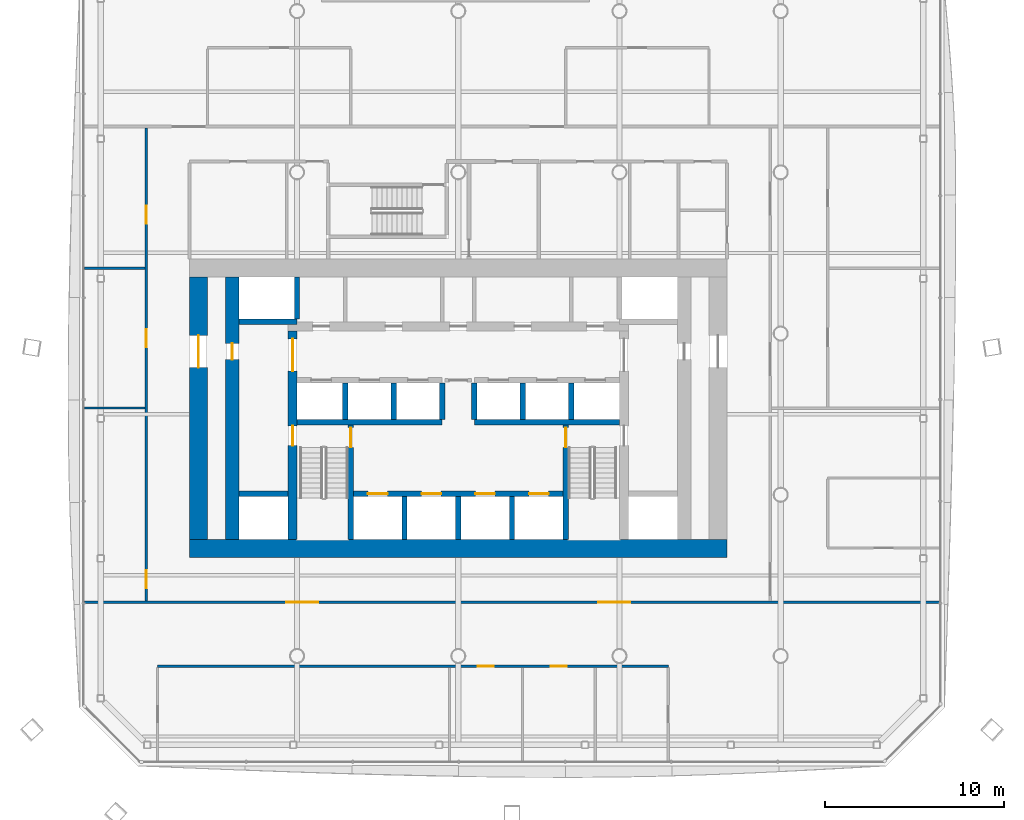
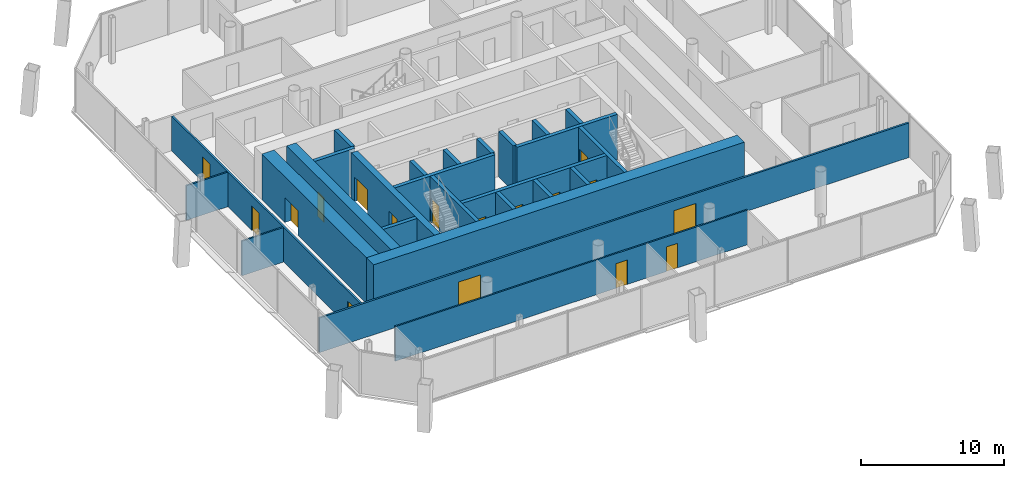
# One storey, part 11 of 19: 26 walls, 17 doors, 17 openings.
"""IFC4 building model written with IfcOpenShell, lengths in metres."""

import ifcopenshell
import ifcopenshell.guid

model = None  # the IFC model being written
_history = None  # IfcOwnerHistory: only IFC2X3 demands one
_inside = {}  # id of a spatial element -> (the spatial element, [elements in it])
_under = {}  # id of a project, library or spatial element -> (it, [spatial elements below it])
_declared = {}  # id of a project -> (the project, [libraries it declares])
_typed = {}  # id of a type object -> (the type object, [elements of that type])
_made_of = {}  # id of a material, layer set ... -> (it, [elements and type objects made of it])


def new_model(schema):
    """Start an empty IFC model of exactly this schema.

    Asked for "IFC4X3", IfcOpenShell would pick the latest addendum, in which some entities
    have other attributes; the version numbers below select the first issue.
    IFC2X3 requires an IfcOwnerHistory on every rooted entity: one is made here for all.
    """
    global model, _history
    if schema == "IFC4X3":
        model = ifcopenshell.file(schema_version=(4, 3, 0, 0))
    else:
        model = ifcopenshell.file(schema=schema)
    _inside.clear()
    _under.clear()
    _declared.clear()
    _typed.clear()
    _made_of.clear()
    _history = None
    if model.schema == "IFC2X3":
        org = make("IfcOrganization", Name="unknown")
        user = make(
            "IfcPersonAndOrganization",
            ThePerson=make("IfcPerson", FamilyName="unknown"),
            TheOrganization=org,
        )
        app = make(
            "IfcApplication",
            ApplicationDeveloper=org,
            Version="unknown",
            ApplicationFullName="unknown",
            ApplicationIdentifier="unknown",
        )
        _history = make(
            "IfcOwnerHistory",
            OwningUser=user,
            OwningApplication=app,
            ChangeAction="ADDED",
            CreationDate=0,
        )
    return model


def make(cls, **values):
    """One entity of the class cls with the attributes given. An attribute that is None is left unset."""
    return model.create_entity(
        cls, **{name: value for name, value in values.items() if value is not None}
    )


def rooted(cls, **values):
    """An entity with a GlobalId (a new one), such as an element, a storey or a relation."""
    return make(cls, GlobalId=ifcopenshell.guid.new(), OwnerHistory=_history, **values)


def si_unit(unit_type, name, prefix=None):
    """IfcSIUnit, for example si_unit("LENGTHUNIT", "METRE", prefix="MILLI")."""
    return make("IfcSIUnit", UnitType=unit_type, Prefix=prefix, Name=name)


def assignment(units):
    """IfcUnitAssignment: the units of a project."""
    return None if units is None else make("IfcUnitAssignment", Units=units)


def point(xyz):
    """IfcCartesianPoint."""
    return None if xyz is None else make("IfcCartesianPoint", Coordinates=xyz)


def direction(xyz):
    """IfcDirection."""
    return None if xyz is None else make("IfcDirection", DirectionRatios=xyz)


def frame(location, z_axis=None, x_axis=None):
    """IfcAxis2Placement3D, a coordinate frame: its origin and axes. An axis left out is left unset."""
    return make(
        "IfcAxis2Placement3D",
        Location=point(location),
        Axis=direction(z_axis),
        RefDirection=direction(x_axis),
    )


def frame_2d(location, x_axis=None):
    """IfcAxis2Placement2D, a coordinate frame in the plane: its origin and x axis."""
    return make(
        "IfcAxis2Placement2D", Location=point(location), RefDirection=direction(x_axis)
    )


def origin():
    """The frame at (0, 0, 0) with its axes left unset."""
    return frame((0.0, 0.0, 0.0))


def place(relative_to, where):
    """IfcLocalPlacement: puts the frame where relative to a parent placement (None: the world)."""
    return make(
        "IfcLocalPlacement", PlacementRelTo=relative_to, RelativePlacement=where
    )


def context(
    kind, dimensions, precision=None, world=None, true_north=None, identifier=None
):
    """IfcGeometricRepresentationContext, for example the 3D "Model" context."""
    return make(
        "IfcGeometricRepresentationContext",
        ContextIdentifier=identifier,
        ContextType=kind,
        CoordinateSpaceDimension=dimensions,
        Precision=precision,
        WorldCoordinateSystem=world,
        TrueNorth=true_north,
    )


def subcontext(parent, identifier, kind, view, scale=None):
    """IfcGeometricRepresentationSubContext, for example "Body" below "Model"."""
    return make(
        "IfcGeometricRepresentationSubContext",
        ContextIdentifier=identifier,
        ContextType=kind,
        ParentContext=parent,
        TargetScale=scale,
        TargetView=view,
    )


def project(units=None, contexts=None):
    """IfcProject with its units and contexts."""
    return rooted(
        "IfcProject",
        Name="project",
        RepresentationContexts=contexts,
        UnitsInContext=assignment(units),
    )


def spatial(cls, under=None, at=None, **own):
    """A site, building, storey or space (cls), placed at a placement, below another one or the project."""
    s = rooted(cls, ObjectPlacement=at, **own)
    if under is not None:
        _under.setdefault(under.id(), (under, []))[1].append(s)
    return s


def profile(cls, at=None, kind="AREA", **sizes):
    """A parametric profile (cls). Its sizes go by their IFC names, for example OverallWidth=200.0."""
    return make(cls, ProfileType=kind, Position=at, **sizes)


def rectangle(**sizes):
    """IfcRectangleProfileDef."""
    return profile("IfcRectangleProfileDef", **sizes)


def extrude(swept, where, along, depth):
    """IfcExtrudedAreaSolid: the profile swept, set in the frame where, extruded along a direction by depth."""
    return make(
        "IfcExtrudedAreaSolid",
        SweptArea=swept,
        Position=where,
        ExtrudedDirection=direction(along),
        Depth=depth,
    )


def shape(context_of_items, identifier, shape_type, items):
    """IfcShapeRepresentation: the items that make up one representation, for example the "Body"."""
    return make(
        "IfcShapeRepresentation",
        ContextOfItems=context_of_items,
        RepresentationIdentifier=identifier,
        RepresentationType=shape_type,
        Items=items,
    )


def material(Name=None, Category=None):
    """IfcMaterial."""
    return make("IfcMaterial", Name=Name, Category=Category)


def layer(
    of_material, thickness, ventilated=None, Name=None, Category=None, Priority=None
):
    """IfcMaterialLayer: one layer of a wall or slab, of a material (None: an air gap)."""
    return make(
        "IfcMaterialLayer",
        Material=of_material,
        LayerThickness=thickness,
        IsVentilated=ventilated,
        Name=Name,
        Category=Category,
        Priority=Priority,
    )


def layer_set(layers, Name=None):
    """IfcMaterialLayerSet."""
    return make("IfcMaterialLayerSet", MaterialLayers=layers, LayerSetName=Name)


def made_of(thing, what):
    """Note that an element or type object is made of a material, layer set ...; save() writes the relation."""
    if what is not None:
        _made_of.setdefault(what.id(), (what, []))[1].append(thing)
    return thing


def type_object(cls, material=None, **own):
    """A type object (cls), such as IfcWallType, which elements share."""
    return made_of(rooted(cls, **own), material)


def element(
    cls,
    number,
    at=None,
    inside=None,
    cuts=None,
    type_object=None,
    material=None,
    context=None,
    identifier="Body",
    shape_type=None,
    held_by="IfcProductDefinitionShape",
    body=None,
    shapes=None,
    **own,
):
    """One element of the class cls, such as IfcWall. Its Tag is "e" and its number.

    at: its placement. inside: the storey or other place that contains it. cuts: it is an
    opening in that element (IfcRelVoidsElement). A single representation is given by context,
    identifier, shape_type and body (its items); several are given by shapes. held_by: the class
    of the entity that holds the representations. save() writes the other relations.
    """
    e = rooted(cls, Tag="e%d" % number, ObjectPlacement=at, **own)
    if body is not None:
        shapes = [shape(context, identifier, shape_type, body)]
    if shapes is not None:
        e.Representation = make(held_by, Representations=shapes)
    if inside is not None:
        _inside.setdefault(inside.id(), (inside, []))[1].append(e)
    if cuts is not None:
        rooted(
            "IfcRelVoidsElement", RelatingBuildingElement=cuts, RelatedOpeningElement=e
        )
    if type_object is not None:
        _typed.setdefault(type_object.id(), (type_object, []))[1].append(e)
    return made_of(e, material)


def fill(opening, filler):
    """IfcRelFillsElement: the door or window that sits in an opening."""
    return rooted(
        "IfcRelFillsElement",
        RelatingOpeningElement=opening,
        RelatedBuildingElement=filler,
    )


def aggregate(whole, parts):
    """IfcRelAggregates: a whole, such as a stair, and the parts it consists of."""
    return rooted("IfcRelAggregates", RelatingObject=whole, RelatedObjects=parts)


def save(model, path):
    """Write the relations noted so far, then the file.

    IfcRelAggregates (storeys below a building ...), IfcRelContainedInSpatialStructure (elements
    in a storey), IfcRelDefinesByType, IfcRelAssociatesMaterial and IfcRelDeclares: one each for
    every whole, place, type object, material and project.
    """
    for whole, parts in _under.values():
        aggregate(whole, parts)
    for where, things in _inside.values():
        rooted(
            "IfcRelContainedInSpatialStructure",
            RelatedElements=things,
            RelatingStructure=where,
        )
    for kind, things in _typed.values():
        rooted("IfcRelDefinesByType", RelatedObjects=things, RelatingType=kind)
    for what, things in _made_of.values():
        rooted("IfcRelAssociatesMaterial", RelatedObjects=things, RelatingMaterial=what)
    for by, libraries in _declared.values():
        rooted("IfcRelDeclares", RelatingContext=by, RelatedDefinitions=libraries)
    model.write(path)


model = new_model("IFC4")

# Units and contexts
model_context = context("Model", 3, precision=1e-05, world=origin(), true_north=direction((0.0, 1.0)))
body_context = subcontext(model_context, "Body", "Model", "MODEL_VIEW")
ifc_project = project(units=[si_unit("LENGTHUNIT", "METRE"), si_unit("AREAUNIT", "SQUARE_METRE"), si_unit("VOLUMEUNIT", "CUBIC_METRE"), si_unit("PLANEANGLEUNIT", "RADIAN"), si_unit("MASSUNIT", "GRAM", prefix="KILO")], contexts=[model_context])

# Site, building, storey
site_placement = place(None, origin())
site = spatial("IfcSite", under=ifc_project, at=site_placement, CompositionType="ELEMENT")
building_placement = place(site_placement, origin())
building = spatial("IfcBuilding", under=site, at=building_placement, Name="Tskaro Facet Tower", CompositionType="ELEMENT")
storey_placement = place(building_placement, frame((0.0, 0.0, 101.10009765625)))
storey = spatial("IfcBuildingStorey", under=building, at=storey_placement, Name="L24", CompositionType="ELEMENT", Elevation=101.10009765625)

# Wall
ifc_material_1 = material(Name="Concrete C60/75", Category="concrete")
ifc_layer_1 = layer(ifc_material_1, 0.300048828125, Name="Concrete C60/75")
ifc_layer_set_1 = layer_set([ifc_layer_1], Name="Concrete C60/75")
wall_type_1 = type_object("IfcWallType", Name="CORE-SHAFT", PredefinedType="SHEAR", material=ifc_layer_set_1)
wall_1_placement = place(storey_placement, frame((-12.25, -8.949951171875, 0.0), z_axis=(0.0, 0.0, 1.0), x_axis=(1.0, 0.0, 0.0)))
element("IfcWall", 1, at=wall_1_placement, inside=storey, type_object=wall_type_1, Name="Shaft wall W004", PredefinedType="SHEAR", context=body_context, shape_type="SweptSolid", body=[
    extrude(rectangle(XDim=2.75, YDim=0.300048828125, at=frame_2d((1.375, 0.0))), origin(), (0.0, 0.0, 1.0), 3.89990234375),
])

# Wall, openings, doors
wall_2_placement = place(storey_placement, frame((-5.85009765625, -8.949951171875, 0.0), z_axis=(0.0, 0.0, 1.0), x_axis=(1.0, 0.0, 0.0)))
wall_2 = element("IfcWall", 2, at=wall_2_placement, inside=storey, type_object=wall_type_1, Name="Shaft wall W005", PredefinedType="SHEAR", context=body_context, shape_type="SweptSolid", body=[
    extrude(rectangle(XDim=11.7001953125, YDim=0.300048828125, at=frame_2d((5.85009765625, 0.0))), origin(), (0.0, 0.0, 1.0), 3.89990234375),
])
opening_1_placement = place(wall_2_placement, frame((0.800048828125, 0.0, 0.0)))
opening_1 = element("IfcOpeningElement", 3, at=opening_1_placement, cuts=wall_2, Name="Opening LD-FF1", PredefinedType="OPENING", context=body_context, shape_type="SweptSolid", body=[
    extrude(rectangle(XDim=1.10009765625, YDim=2.10009765625, at=frame_2d((0.550048828125, 1.050048828125))), frame((0.0, 0.159912109375, 0.0), z_axis=(0.0, -1.0, 0.0), x_axis=(1.0, 0.0, 0.0)), (0.0, 0.0, 1.0), 0.320068359375),
])
opening_2_placement = place(wall_2_placement, frame((3.800048828125, 0.0, 0.0)))
opening_2 = element("IfcOpeningElement", 4, at=opening_2_placement, cuts=wall_2, Name="Opening LD-FF2", PredefinedType="OPENING", context=body_context, shape_type="SweptSolid", body=[
    extrude(rectangle(XDim=1.10009765625, YDim=2.10009765625, at=frame_2d((0.550048828125, 1.050048828125))), frame((0.0, 0.159912109375, 0.0), z_axis=(0.0, -1.0, 0.0), x_axis=(1.0, 0.0, 0.0)), (0.0, 0.0, 1.0), 0.320068359375),
])
opening_3_placement = place(wall_2_placement, frame((6.800048828125, 0.0, 0.0)))
opening_3 = element("IfcOpeningElement", 5, at=opening_3_placement, cuts=wall_2, Name="Opening LD-SV1", PredefinedType="OPENING", context=body_context, shape_type="SweptSolid", body=[
    extrude(rectangle(XDim=1.10009765625, YDim=2.10009765625, at=frame_2d((0.550048828125, 1.050048828125))), frame((0.0, 0.159912109375, 0.0), z_axis=(0.0, -1.0, 0.0), x_axis=(1.0, 0.0, 0.0)), (0.0, 0.0, 1.0), 0.320068359375),
])
opening_4_placement = place(wall_2_placement, frame((9.800048828125, 0.0, 0.0)))
opening_4 = element("IfcOpeningElement", 6, at=opening_4_placement, cuts=wall_2, Name="Opening LD-SV2", PredefinedType="OPENING", context=body_context, shape_type="SweptSolid", body=[
    extrude(rectangle(XDim=1.10009765625, YDim=2.10009765625, at=frame_2d((0.550048828125, 1.050048828125))), frame((0.0, 0.159912109375, 0.0), z_axis=(0.0, -1.0, 0.0), x_axis=(1.0, 0.0, 0.0)), (0.0, 0.0, 1.0), 0.320068359375),
])
ifc_material_2 = material(Name="Stainless steel", Category="steel")
door_type_1 = type_object("IfcDoorType", Name="D-LANDING", OperationType="NOTDEFINED", PredefinedType="DOOR", material=ifc_material_2)
door_1_placement = place(opening_1_placement, origin())
door_1 = element("IfcDoor", 7, at=door_1_placement, inside=storey, type_object=door_type_1, Name="Landing door FF1", OperationType="DOUBLE_DOOR_SLIDING", OverallHeight=2.10009765625, OverallWidth=1.10009765625, PredefinedType="DOOR", context=body_context, shape_type="SweptSolid", body=[
    extrude(rectangle(XDim=1.10009765625, YDim=2.10009765625, at=frame_2d((0.550048828125, 1.050048828125))), frame((0.0, 0.02490234375, 0.0), z_axis=(0.0, -1.0, 0.0), x_axis=(1.0, 0.0, 0.0)), (0.0, 0.0, 1.0), 0.050048828125),
])
fill(opening_1, door_1)
door_2_placement = place(opening_2_placement, origin())
door_2 = element("IfcDoor", 8, at=door_2_placement, inside=storey, type_object=door_type_1, Name="Landing door FF2", OperationType="DOUBLE_DOOR_SLIDING", OverallHeight=2.10009765625, OverallWidth=1.10009765625, PredefinedType="DOOR", context=body_context, shape_type="SweptSolid", body=[
    extrude(rectangle(XDim=1.10009765625, YDim=2.10009765625, at=frame_2d((0.550048828125, 1.050048828125))), frame((0.0, 0.02490234375, 0.0), z_axis=(0.0, -1.0, 0.0), x_axis=(1.0, 0.0, 0.0)), (0.0, 0.0, 1.0), 0.050048828125),
])
fill(opening_2, door_2)
door_3_placement = place(opening_3_placement, origin())
door_3 = element("IfcDoor", 9, at=door_3_placement, inside=storey, type_object=door_type_1, Name="Landing door SV1", OperationType="DOUBLE_DOOR_SLIDING", OverallHeight=2.10009765625, OverallWidth=1.10009765625, PredefinedType="DOOR", context=body_context, shape_type="SweptSolid", body=[
    extrude(rectangle(XDim=1.10009765625, YDim=2.10009765625, at=frame_2d((0.550048828125, 1.050048828125))), frame((0.0, 0.02490234375, 0.0), z_axis=(0.0, -1.0, 0.0), x_axis=(1.0, 0.0, 0.0)), (0.0, 0.0, 1.0), 0.050048828125),
])
fill(opening_3, door_3)
door_4_placement = place(opening_4_placement, origin())
door_4 = element("IfcDoor", 10, at=door_4_placement, inside=storey, type_object=door_type_1, Name="Landing door SV2", OperationType="DOUBLE_DOOR_SLIDING", OverallHeight=2.10009765625, OverallWidth=1.10009765625, PredefinedType="DOOR", context=body_context, shape_type="SweptSolid", body=[
    extrude(rectangle(XDim=1.10009765625, YDim=2.10009765625, at=frame_2d((0.550048828125, 1.050048828125))), frame((0.0, 0.02490234375, 0.0), z_axis=(0.0, -1.0, 0.0), x_axis=(1.0, 0.0, 0.0)), (0.0, 0.0, 1.0), 0.050048828125),
])
fill(opening_4, door_4)

# Walls
for number, where, z_axis, x_axis, name in (
    (11, (-9.0, -4.949951171875, 0.0), (0.0, 0.0, 1.0), (1.0, 0.0, 0.0), "Shaft wall W008"),
    (12, (0.89990234375, -4.949951171875, 0.0), (0.0, 0.0, 1.0), (1.0, 0.0, 0.0), "Shaft wall W009"),
):
    element("IfcWall", number, at=place(storey_placement, frame(where, z_axis=z_axis, x_axis=x_axis)), inside=storey, type_object=wall_type_1, Name=name, PredefinedType="SHEAR", context=body_context, shape_type="SweptSolid", body=[
        extrude(rectangle(XDim=8.10009765625, YDim=0.300048828125, at=frame_2d((4.050048828125, 0.0))), origin(), (0.0, 0.0, 1.0), 3.89990234375),
    ])
wall_3_placement = place(storey_placement, frame((-9.0, 0.64990234375, 0.0), z_axis=(0.0, 0.0, 1.0), x_axis=(-1.0, 0.0, 0.0)))
element("IfcWall", 13, at=wall_3_placement, inside=storey, type_object=wall_type_1, Name="Shaft wall W015", PredefinedType="SHEAR", context=body_context, shape_type="SweptSolid", body=[
    extrude(rectangle(XDim=3.25, YDim=0.300048828125, at=frame_2d((1.625, 0.0))), origin(), (0.0, 0.0, 1.0), 3.89990234375),
])
wall_4_placement = place(storey_placement, frame((-9.0, 0.800048828125, 0.0), z_axis=(0.0, 0.0, 1.0), x_axis=(0.0, 1.0, 0.0)))
element("IfcWall", 14, at=wall_4_placement, inside=storey, type_object=wall_type_1, Name="Shaft wall W034", PredefinedType="SHEAR", context=body_context, shape_type="SweptSolid", body=[
    extrude(rectangle(XDim=2.349853515625, YDim=0.300048828125, at=frame_2d((1.1748046875, 0.0))), origin(), (0.0, 0.0, 1.0), 3.89990234375),
])
wall_5_placement = place(storey_placement, frame((-6.300048828125, -4.800048828125, 0.0), z_axis=(0.0, 0.0, 1.0), x_axis=(0.0, 1.0, 0.0)))
element("IfcWall", 15, at=wall_5_placement, inside=storey, type_object=wall_type_1, Name="Shaft wall W039", PredefinedType="SHEAR", context=body_context, shape_type="SweptSolid", body=[
    extrude(rectangle(XDim=2.050048828125, YDim=0.300048828125, at=frame_2d((1.02490234375, 0.0))), origin(), (0.0, 0.0, 1.0), 3.89990234375),
])

# Wall, opening, door
wall_6_placement = place(storey_placement, frame((-6.0, -11.5, 0.0), z_axis=(0.0, 0.0, 1.0), x_axis=(0.0, 1.0, 0.0)))
wall_6 = element("IfcWall", 16, at=wall_6_placement, inside=storey, type_object=wall_type_1, Name="Shaft wall W041", PredefinedType="SHEAR", context=body_context, shape_type="SweptSolid", body=[
    extrude(rectangle(XDim=6.39990234375, YDim=0.300048828125, at=frame_2d((3.199951171875, 0.0))), origin(), (0.0, 0.0, 1.0), 3.89990234375),
])
opening_5_placement = place(wall_6_placement, frame((5.14990234375, 0.0, 0.0)))
opening_5 = element("IfcOpeningElement", 17, at=opening_5_placement, cuts=wall_6, Name="Opening ST-1-D1", PredefinedType="OPENING", context=body_context, shape_type="SweptSolid", body=[
    extrude(rectangle(XDim=1.10009765625, YDim=2.10009765625, at=frame_2d((0.550048828125, 1.050048828125))), frame((0.0, 0.159912109375, 0.0), z_axis=(0.0, -1.0, 0.0), x_axis=(1.0, 0.0, 0.0)), (0.0, 0.0, 1.0), 0.320068359375),
])
ifc_material_3 = material(Name="Steel", Category="steel")
door_type_2 = type_object("IfcDoorType", Name="D-STAIR", OperationType="NOTDEFINED", PredefinedType="DOOR", material=ifc_material_3)
door_5_placement = place(opening_5_placement, origin())
door_5 = element("IfcDoor", 18, at=door_5_placement, inside=storey, type_object=door_type_2, Name="Stair door 1", OperationType="SINGLE_SWING_LEFT", OverallHeight=2.10009765625, OverallWidth=1.10009765625, PredefinedType="DOOR", context=body_context, shape_type="SweptSolid", body=[
    extrude(rectangle(XDim=1.10009765625, YDim=2.10009765625, at=frame_2d((0.550048828125, 1.050048828125))), frame((0.0, 0.02490234375, 0.0), z_axis=(0.0, -1.0, 0.0), x_axis=(1.0, 0.0, 0.0)), (0.0, 0.0, 1.0), 0.050048828125),
])
fill(opening_5, door_5)

# Walls
wall_7_placement = place(storey_placement, frame((-3.60009765625, -4.800048828125, 0.0), z_axis=(0.0, 0.0, 1.0), x_axis=(0.0, 1.0, 0.0)))
element("IfcWall", 19, at=wall_7_placement, inside=storey, type_object=wall_type_1, Name="Shaft wall W043", PredefinedType="SHEAR", context=body_context, shape_type="SweptSolid", body=[
    extrude(rectangle(XDim=2.050048828125, YDim=0.300048828125, at=frame_2d((1.02490234375, 0.0))), origin(), (0.0, 0.0, 1.0), 3.89990234375),
])
wall_8_placement = place(storey_placement, frame((-3.0, -11.5, 0.0), z_axis=(0.0, 0.0, 1.0), x_axis=(0.0, 1.0, 0.0)))
element("IfcWall", 20, at=wall_8_placement, inside=storey, type_object=wall_type_1, Name="Shaft wall W044", PredefinedType="SHEAR", context=body_context, shape_type="SweptSolid", body=[
    extrude(rectangle(XDim=2.39990234375, YDim=0.300048828125, at=frame_2d((1.199951171875, 0.0))), origin(), (0.0, 0.0, 1.0), 3.89990234375),
])
wall_9_placement = place(storey_placement, frame((-0.89990234375, -4.800048828125, 0.0), z_axis=(0.0, 0.0, 1.0), x_axis=(0.0, 1.0, 0.0)))
element("IfcWall", 21, at=wall_9_placement, inside=storey, type_object=wall_type_1, Name="Shaft wall W045", PredefinedType="SHEAR", context=body_context, shape_type="SweptSolid", body=[
    extrude(rectangle(XDim=2.050048828125, YDim=0.300048828125, at=frame_2d((1.02490234375, 0.0))), origin(), (0.0, 0.0, 1.0), 3.89990234375),
])
wall_10_placement = place(storey_placement, frame((0.0, -11.5, 0.0), z_axis=(0.0, 0.0, 1.0), x_axis=(0.0, 1.0, 0.0)))
element("IfcWall", 22, at=wall_10_placement, inside=storey, type_object=wall_type_1, Name="Shaft wall W050", PredefinedType="SHEAR", context=body_context, shape_type="SweptSolid", body=[
    extrude(rectangle(XDim=2.39990234375, YDim=0.300048828125, at=frame_2d((1.199951171875, 0.0))), origin(), (0.0, 0.0, 1.0), 3.89990234375),
])
wall_11_placement = place(storey_placement, frame((0.89990234375, -4.800048828125, 0.0), z_axis=(0.0, 0.0, 1.0), x_axis=(0.0, 1.0, 0.0)))
element("IfcWall", 23, at=wall_11_placement, inside=storey, type_object=wall_type_1, Name="Shaft wall W052", PredefinedType="SHEAR", context=body_context, shape_type="SweptSolid", body=[
    extrude(rectangle(XDim=2.050048828125, YDim=0.300048828125, at=frame_2d((1.02490234375, 0.0))), origin(), (0.0, 0.0, 1.0), 3.89990234375),
])
wall_12_placement = place(storey_placement, frame((3.0, -11.5, 0.0), z_axis=(0.0, 0.0, 1.0), x_axis=(0.0, 1.0, 0.0)))
element("IfcWall", 24, at=wall_12_placement, inside=storey, type_object=wall_type_1, Name="Shaft wall W054", PredefinedType="SHEAR", context=body_context, shape_type="SweptSolid", body=[
    extrude(rectangle(XDim=2.39990234375, YDim=0.300048828125, at=frame_2d((1.199951171875, 0.0))), origin(), (0.0, 0.0, 1.0), 3.89990234375),
])
wall_13_placement = place(storey_placement, frame((3.60009765625, -4.800048828125, 0.0), z_axis=(0.0, 0.0, 1.0), x_axis=(0.0, 1.0, 0.0)))
element("IfcWall", 25, at=wall_13_placement, inside=storey, type_object=wall_type_1, Name="Shaft wall W056", PredefinedType="SHEAR", context=body_context, shape_type="SweptSolid", body=[
    extrude(rectangle(XDim=2.050048828125, YDim=0.300048828125, at=frame_2d((1.02490234375, 0.0))), origin(), (0.0, 0.0, 1.0), 3.89990234375),
])

# Wall, opening, door
wall_14_placement = place(storey_placement, frame((6.0, -5.10009765625, 0.0), z_axis=(0.0, 0.0, 1.0), x_axis=(0.0, -1.0, 0.0)))
wall_14 = element("IfcWall", 26, at=wall_14_placement, inside=storey, type_object=wall_type_1, Name="Shaft wall W058", PredefinedType="SHEAR", context=body_context, shape_type="SweptSolid", body=[
    extrude(rectangle(XDim=6.39990234375, YDim=0.300048828125, at=frame_2d((3.199951171875, 0.0))), origin(), (0.0, 0.0, 1.0), 3.89990234375),
])
opening_6_placement = place(wall_14_placement, frame((0.14990234375, 0.0, 0.0)))
opening_6 = element("IfcOpeningElement", 27, at=opening_6_placement, cuts=wall_14, Name="Opening ST-2-D1", PredefinedType="OPENING", context=body_context, shape_type="SweptSolid", body=[
    extrude(rectangle(XDim=1.10009765625, YDim=2.10009765625, at=frame_2d((0.550048828125, 1.050048828125))), frame((0.0, 0.159912109375, 0.0), z_axis=(0.0, -1.0, 0.0), x_axis=(1.0, 0.0, 0.0)), (0.0, 0.0, 1.0), 0.320068359375),
])
door_6_placement = place(opening_6_placement, origin())
door_6 = element("IfcDoor", 28, at=door_6_placement, inside=storey, type_object=door_type_2, Name="Stair door 2", OperationType="SINGLE_SWING_RIGHT", OverallHeight=2.10009765625, OverallWidth=1.10009765625, PredefinedType="DOOR", context=body_context, shape_type="SweptSolid", body=[
    extrude(rectangle(XDim=1.10009765625, YDim=2.10009765625, at=frame_2d((0.550048828125, 1.050048828125))), frame((0.0, 0.02490234375, 0.0), z_axis=(0.0, -1.0, 0.0), x_axis=(1.0, 0.0, 0.0)), (0.0, 0.0, 1.0), 0.050048828125),
])
fill(opening_6, door_6)

# Walls
wall_15_placement = place(storey_placement, frame((6.300048828125, -4.800048828125, 0.0), z_axis=(0.0, 0.0, 1.0), x_axis=(0.0, 1.0, 0.0)))
element("IfcWall", 29, at=wall_15_placement, inside=storey, type_object=wall_type_1, Name="Shaft wall W060", PredefinedType="SHEAR", context=body_context, shape_type="SweptSolid", body=[
    extrude(rectangle(XDim=2.050048828125, YDim=0.300048828125, at=frame_2d((1.02490234375, 0.0))), origin(), (0.0, 0.0, 1.0), 3.89990234375),
])
ifc_layer_2 = layer(ifc_material_1, 1.0, Name="Concrete C60/75")
ifc_layer_set_2 = layer_set([ifc_layer_2], Name="Concrete C60/75")
wall_type_2 = type_object("IfcWallType", Name="Core wall 1000", PredefinedType="SHEAR", material=ifc_layer_set_2)
wall_16_placement = place(storey_placement, frame((-15.0, -12.0, 0.0), z_axis=(0.0, 0.0, 1.0), x_axis=(1.0, 0.0, 0.0)))
element("IfcWall", 30, at=wall_16_placement, inside=storey, type_object=wall_type_2, Name="Core wall CW-Z1S", PredefinedType="SHEAR", context=body_context, shape_type="SweptSolid", body=[
    extrude(rectangle(XDim=30.0, YDim=1.0, at=frame_2d((15.0, 0.0))), origin(), (0.0, 0.0, 1.0), 3.89990234375),
])

# Wall, opening, door
wall_17_placement = place(storey_placement, frame((-14.5, -11.5, 0.0), z_axis=(0.0, 0.0, 1.0), x_axis=(0.0, 1.0, 0.0)))
wall_17 = element("IfcWall", 31, at=wall_17_placement, inside=storey, type_object=wall_type_2, Name="Core wall CW-Z1W", PredefinedType="SHEAR", context=body_context, shape_type="SweptSolid", body=[
    extrude(rectangle(XDim=14.64990234375, YDim=1.0, at=frame_2d((7.324951171875, 0.0))), origin(), (0.0, 0.0, 1.0), 3.89990234375),
])
opening_7_placement = place(wall_17_placement, frame((9.60009765625, 0.0, 0.0)))
opening_7 = element("IfcOpeningElement", 32, at=opening_7_placement, cuts=wall_17, Name="Opening T7-D15", PredefinedType="OPENING", context=body_context, shape_type="SweptSolid", body=[
    extrude(rectangle(XDim=1.800048828125, YDim=2.10009765625, at=frame_2d((0.89990234375, 1.050048828125))), frame((0.0, 0.510009765625, 0.0), z_axis=(0.0, -1.0, 0.0), x_axis=(1.0, 0.0, 0.0)), (0.0, 0.0, 1.0), 1.02001953125),
])
door_type_3 = type_object("IfcDoorType", Name="D-CORE-PAIR", OperationType="NOTDEFINED", PredefinedType="DOOR", material=ifc_material_3)
door_7_placement = place(opening_7_placement, origin())
door_7 = element("IfcDoor", 33, at=door_7_placement, inside=storey, type_object=door_type_3, Name="Door T7-D15", OperationType="DOUBLE_DOOR_SINGLE_SWING", OverallHeight=2.10009765625, OverallWidth=1.800048828125, PredefinedType="DOOR", context=body_context, shape_type="SweptSolid", body=[
    extrude(rectangle(XDim=1.800048828125, YDim=2.10009765625, at=frame_2d((0.89990234375, 1.050048828125))), frame((0.0, 0.02490234375, 0.0), z_axis=(0.0, -1.0, 0.0), x_axis=(1.0, 0.0, 0.0)), (0.0, 0.0, 1.0), 0.050048828125),
])
fill(opening_7, door_7)

# Wall, openings, doors
ifc_material_4 = material(Name="Concrete C40/50", Category="concrete")
ifc_layer_3 = layer(ifc_material_4, 0.5, Name="Concrete C40/50")
ifc_layer_set_3 = layer_set([ifc_layer_3], Name="Concrete C40/50")
wall_type_3 = type_object("IfcWallType", Name="Core wall 500", PredefinedType="SHEAR", material=ifc_layer_set_3)
wall_18_placement = place(storey_placement, frame((-9.25, -11.5, 0.0), z_axis=(0.0, 0.0, 1.0), x_axis=(0.0, 1.0, 0.0)))
wall_18 = element("IfcWall", 34, at=wall_18_placement, inside=storey, type_object=wall_type_3, Name="Core wall CW-Z3W", PredefinedType="SHEAR", context=body_context, shape_type="SweptSolid", body=[
    extrude(rectangle(XDim=11.64990234375, YDim=0.5, at=frame_2d((5.824951171875, 0.0))), origin(), (0.0, 0.0, 1.0), 3.89990234375),
])
opening_8_placement = place(wall_18_placement, frame((9.39990234375, 0.0, 0.0)))
opening_8 = element("IfcOpeningElement", 35, at=opening_8_placement, cuts=wall_18, Name="Opening T7-D13", PredefinedType="OPENING", context=body_context, shape_type="SweptSolid", body=[
    extrude(rectangle(XDim=1.800048828125, YDim=2.10009765625, at=frame_2d((0.89990234375, 1.050048828125))), frame((0.0, 0.260009765625, 0.0), z_axis=(0.0, -1.0, 0.0), x_axis=(1.0, 0.0, 0.0)), (0.0, 0.0, 1.0), 0.52001953125),
])
opening_9_placement = place(wall_18_placement, frame((5.25, 0.0, 0.0)))
opening_9 = element("IfcOpeningElement", 36, at=opening_9_placement, cuts=wall_18, Name="Opening ST-1-D2", PredefinedType="OPENING", context=body_context, shape_type="SweptSolid", body=[
    extrude(rectangle(XDim=1.10009765625, YDim=2.10009765625, at=frame_2d((0.550048828125, 1.050048828125))), frame((0.0, 0.260009765625, 0.0), z_axis=(0.0, -1.0, 0.0), x_axis=(1.0, 0.0, 0.0)), (0.0, 0.0, 1.0), 0.52001953125),
])
door_8_placement = place(opening_8_placement, origin())
door_8 = element("IfcDoor", 37, at=door_8_placement, inside=storey, type_object=door_type_3, Name="Door T7-D13", OperationType="DOUBLE_DOOR_SINGLE_SWING", OverallHeight=2.10009765625, OverallWidth=1.800048828125, PredefinedType="DOOR", context=body_context, shape_type="SweptSolid", body=[
    extrude(rectangle(XDim=1.800048828125, YDim=2.10009765625, at=frame_2d((0.89990234375, 1.050048828125))), frame((0.0, 0.02490234375, 0.0), z_axis=(0.0, -1.0, 0.0), x_axis=(1.0, 0.0, 0.0)), (0.0, 0.0, 1.0), 0.050048828125),
])
fill(opening_8, door_8)
door_9_placement = place(opening_9_placement, origin())
door_9 = element("IfcDoor", 38, at=door_9_placement, inside=storey, type_object=door_type_2, Name="Stair door 1 west", OperationType="SINGLE_SWING_LEFT", OverallHeight=2.10009765625, OverallWidth=1.10009765625, PredefinedType="DOOR", context=body_context, shape_type="SweptSolid", body=[
    extrude(rectangle(XDim=1.10009765625, YDim=2.10009765625, at=frame_2d((0.550048828125, 1.050048828125))), frame((0.0, 0.02490234375, 0.0), z_axis=(0.0, -1.0, 0.0), x_axis=(1.0, 0.0, 0.0)), (0.0, 0.0, 1.0), 0.050048828125),
])
fill(opening_9, door_9)

# Wall, opening, door
ifc_material_5 = material(Name="Concrete C50/60", Category="concrete")
ifc_layer_4 = layer(ifc_material_5, 0.75, Name="Concrete C50/60")
ifc_layer_set_4 = layer_set([ifc_layer_4], Name="Concrete C50/60")
wall_type_4 = type_object("IfcWallType", Name="Core wall 750", PredefinedType="SHEAR", material=ifc_layer_set_4)
wall_19_placement = place(storey_placement, frame((-12.625, -11.5, 0.0), z_axis=(0.0, 0.0, 1.0), x_axis=(0.0, 1.0, 0.0)))
wall_19 = element("IfcWall", 39, at=wall_19_placement, inside=storey, type_object=wall_type_4, Name="Core wall CW-Z2W", PredefinedType="SHEAR", context=body_context, shape_type="SweptSolid", body=[
    extrude(rectangle(XDim=14.64990234375, YDim=0.75, at=frame_2d((7.324951171875, 0.0))), origin(), (0.0, 0.0, 1.0), 3.89990234375),
])
opening_10_placement = place(wall_19_placement, frame((10.050048828125, 0.0, 0.0)))
opening_10 = element("IfcOpeningElement", 40, at=opening_10_placement, cuts=wall_19, Name="Opening T7-D16", PredefinedType="OPENING", context=body_context, shape_type="SweptSolid", body=[
    extrude(rectangle(XDim=0.89990234375, YDim=2.10009765625, at=frame_2d((0.449951171875, 1.050048828125))), frame((0.0, 0.385009765625, 0.0), z_axis=(0.0, -1.0, 0.0), x_axis=(1.0, 0.0, 0.0)), (0.0, 0.0, 1.0), 0.77001953125),
])
ifc_material_6 = material(Name="Timber", Category="wood")
door_type_4 = type_object("IfcDoorType", Name="D-ROOM", OperationType="NOTDEFINED", PredefinedType="DOOR", material=ifc_material_6)
door_10_placement = place(opening_10_placement, origin())
door_10 = element("IfcDoor", 41, at=door_10_placement, inside=storey, type_object=door_type_4, Name="Door T7-D16", OperationType="SINGLE_SWING_LEFT", OverallHeight=2.10009765625, OverallWidth=0.89990234375, PredefinedType="DOOR", context=body_context, shape_type="SweptSolid", body=[
    extrude(rectangle(XDim=0.89990234375, YDim=2.10009765625, at=frame_2d((0.449951171875, 1.050048828125))), frame((0.0, 0.02490234375, 0.0), z_axis=(0.0, -1.0, 0.0), x_axis=(1.0, 0.0, 0.0)), (0.0, 0.0, 1.0), 0.050048828125),
])
fill(opening_10, door_10)

# Wall, openings, doors
ifc_material_7 = material(Name="Gypsum board on steel studs", Category="steel")
ifc_layer_5 = layer(ifc_material_7, 0.125, Name="Gypsum board on steel studs")
ifc_layer_set_5 = layer_set([ifc_layer_5], Name="Gypsum board on steel studs")
wall_type_5 = type_object("IfcWallType", Name="PART", PredefinedType="PARTITIONING", material=ifc_layer_set_5)
wall_20_placement = place(storey_placement, frame((11.72607421875, -18.580078125, 0.0), z_axis=(0.0, 0.0, 1.0), x_axis=(-1.0, 0.0, 0.0)))
wall_20 = element("IfcWall", 42, at=wall_20_placement, inside=storey, type_object=wall_type_5, Name="Partition W001", PredefinedType="PARTITIONING", context=body_context, shape_type="SweptSolid", body=[
    extrude(rectangle(XDim=28.510009765625, YDim=0.125, at=frame_2d((14.2548828125, 0.0))), origin(), (0.0, 0.0, 1.0), 2.9599609375),
])
opening_11_placement = place(wall_20_placement, frame((9.732421875, 0.0, 0.0)))
opening_11 = element("IfcOpeningElement", 43, at=opening_11_placement, cuts=wall_20, Name="Opening T7-D03", PredefinedType="OPENING", context=body_context, shape_type="SweptSolid", body=[
    extrude(rectangle(XDim=0.89990234375, YDim=2.10009765625, at=frame_2d((0.449951171875, 1.050048828125))), frame((0.0, 0.072509765625, 0.0), z_axis=(0.0, -1.0, 0.0), x_axis=(1.0, 0.0, 0.0)), (0.0, 0.0, 1.0), 0.14501953125),
])
opening_12_placement = place(wall_20_placement, frame((5.659423828125, 0.0, 0.0)))
opening_12 = element("IfcOpeningElement", 44, at=opening_12_placement, cuts=wall_20, Name="Opening T7-D04", PredefinedType="OPENING", context=body_context, shape_type="SweptSolid", body=[
    extrude(rectangle(XDim=0.89990234375, YDim=2.10009765625, at=frame_2d((0.449951171875, 1.050048828125))), frame((0.0, 0.072509765625, 0.0), z_axis=(0.0, -1.0, 0.0), x_axis=(1.0, 0.0, 0.0)), (0.0, 0.0, 1.0), 0.14501953125),
])
door_11_placement = place(opening_11_placement, origin())
door_11 = element("IfcDoor", 45, at=door_11_placement, inside=storey, type_object=door_type_4, Name="Door T7-D03", OperationType="SINGLE_SWING_RIGHT", OverallHeight=2.10009765625, OverallWidth=0.89990234375, PredefinedType="DOOR", context=body_context, shape_type="SweptSolid", body=[
    extrude(rectangle(XDim=0.89990234375, YDim=2.10009765625, at=frame_2d((0.449951171875, 1.050048828125))), frame((0.0, 0.02490234375, 0.0), z_axis=(0.0, -1.0, 0.0), x_axis=(1.0, 0.0, 0.0)), (0.0, 0.0, 1.0), 0.050048828125),
])
fill(opening_11, door_11)
door_12_placement = place(opening_12_placement, origin())
door_12 = element("IfcDoor", 46, at=door_12_placement, inside=storey, type_object=door_type_4, Name="Door T7-D04", OperationType="SINGLE_SWING_RIGHT", OverallHeight=2.10009765625, OverallWidth=0.89990234375, PredefinedType="DOOR", context=body_context, shape_type="SweptSolid", body=[
    extrude(rectangle(XDim=0.89990234375, YDim=2.10009765625, at=frame_2d((0.449951171875, 1.050048828125))), frame((0.0, 0.02490234375, 0.0), z_axis=(0.0, -1.0, 0.0), x_axis=(1.0, 0.0, 0.0)), (0.0, 0.0, 1.0), 0.050048828125),
])
fill(opening_12, door_12)

# Walls
for number, where, z_axis, x_axis, name in (
    (47, (-20.864990234375, -4.162109375, 0.0), (0.0, 0.0, 1.0), (1.0, 0.0, 0.0), "Partition W010"),
    (48, (-20.864990234375, 3.64794921875, 0.0), (0.0, 0.0, 1.0), (1.0, 0.0, 0.0), "Partition W017"),
):
    element("IfcWall", number, at=place(storey_placement, frame(where, z_axis=z_axis, x_axis=x_axis)), inside=storey, type_object=wall_type_5, Name=name, PredefinedType="PARTITIONING", context=body_context, shape_type="SweptSolid", body=[
        extrude(rectangle(XDim=3.364990234375, YDim=0.125, at=frame_2d((1.6826171875, 0.0))), origin(), (0.0, 0.0, 1.0), 2.9599609375),
    ])

# Wall, openings, doors
ifc_layer_6 = layer(ifc_material_7, 0.14990234375, Name="Gypsum board on steel studs")
ifc_layer_set_6 = layer_set([ifc_layer_6], Name="Gypsum board on steel studs")
wall_type_6 = type_object("IfcWallType", Name="PART-CORR", PredefinedType="PARTITIONING", material=ifc_layer_set_6)
wall_21_placement = place(storey_placement, frame((-20.864990234375, -15.0, 0.0), z_axis=(0.0, 0.0, 1.0), x_axis=(1.0, 0.0, 0.0)))
wall_21 = element("IfcWall", 49, at=wall_21_placement, inside=storey, type_object=wall_type_6, Name="Corridor wall W002", PredefinedType="PARTITIONING", context=body_context, shape_type="SweptSolid", body=[
    extrude(rectangle(XDim=47.72998046875, YDim=0.14990234375, at=frame_2d((23.864990234375, 0.0))), origin(), (0.0, 0.0, 1.0), 2.9599609375),
])
opening_13_placement = place(wall_21_placement, frame((11.251953125, 0.0, 0.0)))
opening_13 = element("IfcOpeningElement", 50, at=opening_13_placement, cuts=wall_21, Name="Opening T7-D05", PredefinedType="OPENING", context=body_context, shape_type="SweptSolid", body=[
    extrude(rectangle(XDim=1.800048828125, YDim=2.10009765625, at=frame_2d((0.89990234375, 1.050048828125))), frame((0.0, 0.0849609375, 0.0), z_axis=(0.0, -1.0, 0.0), x_axis=(1.0, 0.0, 0.0)), (0.0, 0.0, 1.0), 0.169921875),
])
opening_14_placement = place(wall_21_placement, frame((28.677978515625, 0.0, 0.0)))
opening_14 = element("IfcOpeningElement", 51, at=opening_14_placement, cuts=wall_21, Name="Opening T7-D06", PredefinedType="OPENING", context=body_context, shape_type="SweptSolid", body=[
    extrude(rectangle(XDim=1.800048828125, YDim=2.10009765625, at=frame_2d((0.89990234375, 1.050048828125))), frame((0.0, 0.0849609375, 0.0), z_axis=(0.0, -1.0, 0.0), x_axis=(1.0, 0.0, 0.0)), (0.0, 0.0, 1.0), 0.169921875),
])
ifc_material_8 = material(Name="Glass", Category="glass")
door_type_5 = type_object("IfcDoorType", Name="D-ENTRY-PAIR", OperationType="NOTDEFINED", PredefinedType="DOOR", material=ifc_material_8)
door_13_placement = place(opening_13_placement, origin())
door_13 = element("IfcDoor", 52, at=door_13_placement, inside=storey, type_object=door_type_5, Name="Door T7-D05", OperationType="DOUBLE_DOOR_SINGLE_SWING", OverallHeight=2.10009765625, OverallWidth=1.800048828125, PredefinedType="DOOR", context=body_context, shape_type="SweptSolid", body=[
    extrude(rectangle(XDim=1.800048828125, YDim=2.10009765625, at=frame_2d((0.89990234375, 1.050048828125))), frame((0.0, 0.02490234375, 0.0), z_axis=(0.0, -1.0, 0.0), x_axis=(1.0, 0.0, 0.0)), (0.0, 0.0, 1.0), 0.050048828125),
])
fill(opening_13, door_13)
door_14_placement = place(opening_14_placement, origin())
door_14 = element("IfcDoor", 53, at=door_14_placement, inside=storey, type_object=door_type_5, Name="Door T7-D06", OperationType="DOUBLE_DOOR_SINGLE_SWING", OverallHeight=2.10009765625, OverallWidth=1.800048828125, PredefinedType="DOOR", context=body_context, shape_type="SweptSolid", body=[
    extrude(rectangle(XDim=1.800048828125, YDim=2.10009765625, at=frame_2d((0.89990234375, 1.050048828125))), frame((0.0, 0.02490234375, 0.0), z_axis=(0.0, -1.0, 0.0), x_axis=(1.0, 0.0, 0.0)), (0.0, 0.0, 1.0), 0.050048828125),
])
fill(opening_14, door_14)

wall_22_placement = place(storey_placement, frame((-17.425048828125, -14.925048828125, 0.0), z_axis=(0.0, 0.0, 1.0), x_axis=(0.0, 1.0, 0.0)))
wall_22 = element("IfcWall", 54, at=wall_22_placement, inside=storey, type_object=wall_type_6, Name="Corridor wall W029", PredefinedType="PARTITIONING", context=body_context, shape_type="SweptSolid", body=[
    extrude(rectangle(XDim=26.405029296875, YDim=0.14990234375, at=frame_2d((13.20263671875, 0.0))), origin(), (0.0, 0.0, 1.0), 2.9599609375),
])
opening_15_placement = place(wall_22_placement, frame((0.71240234375, 0.0, 0.0)))
opening_15 = element("IfcOpeningElement", 55, at=opening_15_placement, cuts=wall_22, Name="Opening T7-D07", PredefinedType="OPENING", context=body_context, shape_type="SweptSolid", body=[
    extrude(rectangle(XDim=1.0, YDim=2.10009765625, at=frame_2d((0.5, 1.050048828125))), frame((0.0, 0.0849609375, 0.0), z_axis=(0.0, -1.0, 0.0), x_axis=(1.0, 0.0, 0.0)), (0.0, 0.0, 1.0), 0.169921875),
])
opening_16_placement = place(wall_22_placement, frame((14.16796875, 0.0, 0.0)))
opening_16 = element("IfcOpeningElement", 56, at=opening_16_placement, cuts=wall_22, Name="Opening T7-D19", PredefinedType="OPENING", context=body_context, shape_type="SweptSolid", body=[
    extrude(rectangle(XDim=1.0, YDim=2.10009765625, at=frame_2d((0.5, 1.050048828125))), frame((0.0, 0.0849609375, 0.0), z_axis=(0.0, -1.0, 0.0), x_axis=(1.0, 0.0, 0.0)), (0.0, 0.0, 1.0), 0.169921875),
])
opening_17_placement = place(wall_22_placement, frame((21.051513671875, 0.0, 0.0)))
opening_17 = element("IfcOpeningElement", 57, at=opening_17_placement, cuts=wall_22, Name="Opening T7-D30", PredefinedType="OPENING", context=body_context, shape_type="SweptSolid", body=[
    extrude(rectangle(XDim=1.0, YDim=2.10009765625, at=frame_2d((0.5, 1.050048828125))), frame((0.0, 0.0849609375, 0.0), z_axis=(0.0, -1.0, 0.0), x_axis=(1.0, 0.0, 0.0)), (0.0, 0.0, 1.0), 0.169921875),
])
door_type_6 = type_object("IfcDoorType", Name="D-ROOM-WIDE", OperationType="NOTDEFINED", PredefinedType="DOOR", material=ifc_material_6)
door_15_placement = place(opening_15_placement, origin())
door_15 = element("IfcDoor", 58, at=door_15_placement, inside=storey, type_object=door_type_6, Name="Door T7-D07", OperationType="SINGLE_SWING_LEFT", OverallHeight=2.10009765625, OverallWidth=1.0, PredefinedType="DOOR", context=body_context, shape_type="SweptSolid", body=[
    extrude(rectangle(XDim=1.0, YDim=2.10009765625, at=frame_2d((0.5, 1.050048828125))), frame((0.0, 0.02490234375, 0.0), z_axis=(0.0, -1.0, 0.0), x_axis=(1.0, 0.0, 0.0)), (0.0, 0.0, 1.0), 0.050048828125),
])
fill(opening_15, door_15)
door_16_placement = place(opening_16_placement, origin())
door_16 = element("IfcDoor", 59, at=door_16_placement, inside=storey, type_object=door_type_6, Name="Door T7-D19", OperationType="SINGLE_SWING_LEFT", OverallHeight=2.10009765625, OverallWidth=1.0, PredefinedType="DOOR", context=body_context, shape_type="SweptSolid", body=[
    extrude(rectangle(XDim=1.0, YDim=2.10009765625, at=frame_2d((0.5, 1.050048828125))), frame((0.0, 0.02490234375, 0.0), z_axis=(0.0, -1.0, 0.0), x_axis=(1.0, 0.0, 0.0)), (0.0, 0.0, 1.0), 0.050048828125),
])
fill(opening_16, door_16)
door_17_placement = place(opening_17_placement, origin())
door_17 = element("IfcDoor", 60, at=door_17_placement, inside=storey, type_object=door_type_6, Name="Door T7-D30", OperationType="SINGLE_SWING_LEFT", OverallHeight=2.10009765625, OverallWidth=1.0, PredefinedType="DOOR", context=body_context, shape_type="SweptSolid", body=[
    extrude(rectangle(XDim=1.0, YDim=2.10009765625, at=frame_2d((0.5, 1.050048828125))), frame((0.0, 0.02490234375, 0.0), z_axis=(0.0, -1.0, 0.0), x_axis=(1.0, 0.0, 0.0)), (0.0, 0.0, 1.0), 0.050048828125),
])
fill(opening_17, door_17)

save(model, "model.ifc")
